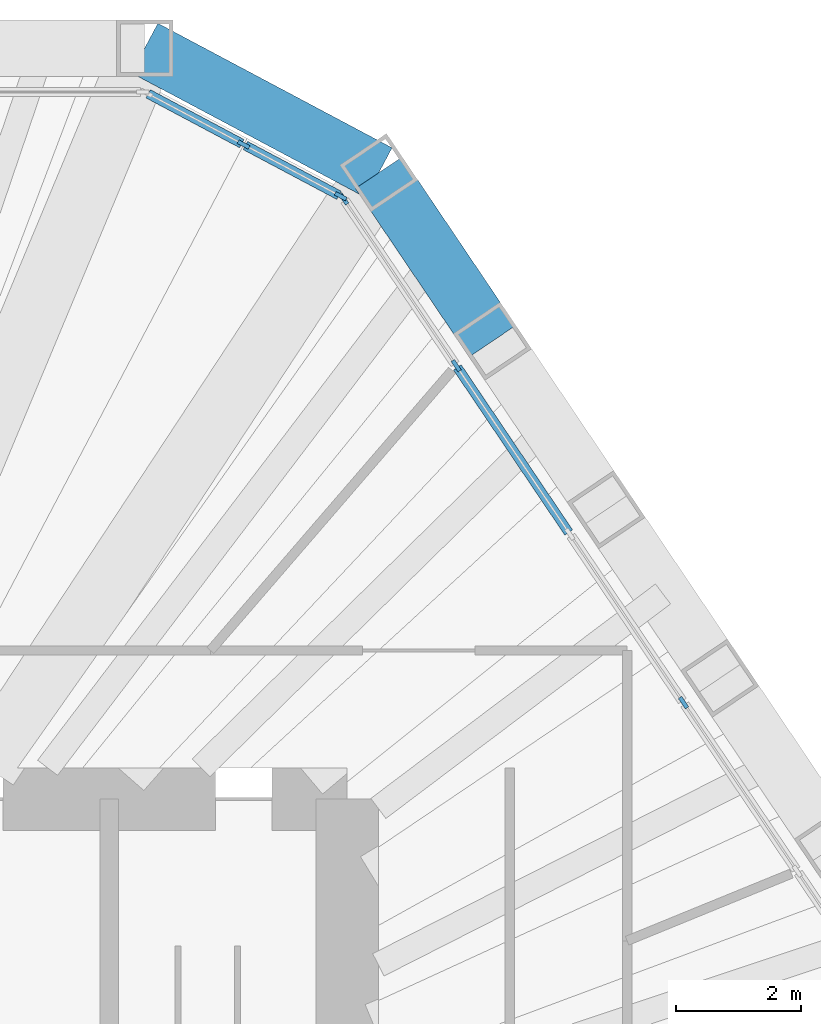
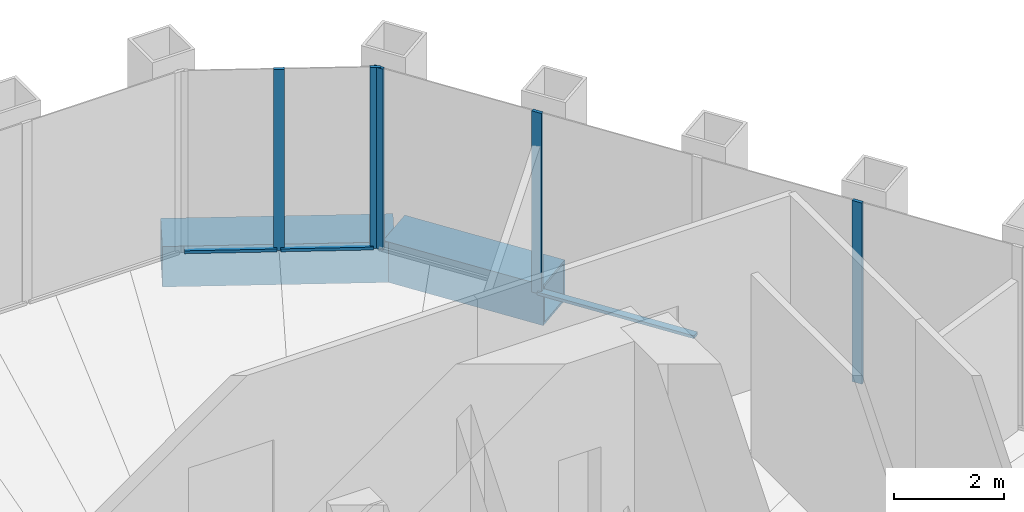
# One storey, part 8 of 14: 8 members, 2 beams, 2 elements without a shape of their own.
"""IFC4 building model written with IfcOpenShell, lengths in metres."""

from ifc_helpers import new_model, si_unit, direction, frame, origin, origin_2d, place, context, subcontext, project, spatial, rectangle, hollow_rectangle, extrude, material, material_profile, profile_set, type_object, element, aggregate, save


model = new_model("IFC4")

# Units and contexts
model_context = context("Model", 3, precision=1e-05, world=origin(), true_north=direction((0.0, 1.0)))
body_context = subcontext(model_context, "Body", "Model", "MODEL_VIEW")
ifc_project = project(units=[si_unit("LENGTHUNIT", "METRE"), si_unit("AREAUNIT", "SQUARE_METRE"), si_unit("VOLUMEUNIT", "CUBIC_METRE"), si_unit("PLANEANGLEUNIT", "RADIAN"), si_unit("MASSUNIT", "GRAM", prefix="KILO")], contexts=[model_context])

# Site, building, storey
site_placement = place(None, origin())
site = spatial("IfcSite", under=ifc_project, at=site_placement, CompositionType="ELEMENT")
building_placement = place(site_placement, origin())
building = spatial("IfcBuilding", under=site, at=building_placement, Name="Qingtian Harvest Tower", CompositionType="ELEMENT")
storey_placement = place(building_placement, frame((0.0, 0.0, 266.199951171875)))
storey = spatial("IfcBuildingStorey", under=building, at=storey_placement, Name="L58", CompositionType="ELEMENT", Elevation=266.199951171875)

# Curtain wall, members
ifc_material_1 = material(Name="Bronze-anodised aluminium curtain wall", Category="aluminium")
curtain_wall_type = type_object("IfcCurtainWallType", Name="Curtain wall CW5 upper office", PredefinedType="USERDEFINED", material=ifc_material_1)
curtain_wall_1_placement = place(storey_placement, origin())
curtain_wall_1 = element("IfcCurtainWall", 1, at=curtain_wall_1_placement, inside=storey, type_object=curtain_wall_type, Name="Curtain wall CW5 L58 NC", ObjectType="RECESSED CURTAIN WALL", PredefinedType="USERDEFINED")
ifc_material_2 = material(Name="Bronze-anodised aluminium mullion", Category="aluminium")
ifc_material_profile_1 = material_profile(ifc_material_2, rectangle(XDim=0.06494140625, YDim=0.199951171875, at=origin_2d()), Name="AL 65x200")
ifc_profile_set_1 = profile_set([ifc_material_profile_1], Name="Bronze-anodised aluminium mullion")
member_type_1 = type_object("IfcMemberType", Name="Mullion CWM 65x200", PredefinedType="MULLION", material=ifc_profile_set_1)
member_1_placement = place(storey_placement, frame((10.3466796875, 19.45947265625, 0.0), z_axis=(0.0, 0.0, 1.0), x_axis=(0.469471562786, 0.882947592859, 0.0)))
member_1 = element("IfcMember", 2, at=member_1_placement, type_object=member_type_1, Name="CW5 mullion 2", PredefinedType="MULLION", context=body_context, shape_type="SweptSolid", body=[
    extrude(rectangle(XDim=0.06494140625, YDim=0.199951171875, at=origin_2d()), origin(), (0.0, 0.0, 1.0), 4.030029296875),
])
member_2_placement = place(storey_placement, frame((11.89892578125, 18.634033203125, 0.0), z_axis=(0.0, 0.0, 1.0), x_axis=(0.469471562786, 0.882947592859, 0.0)))
member_2 = element("IfcMember", 3, at=member_2_placement, type_object=member_type_1, Name="CW5 mullion 3", PredefinedType="MULLION", context=body_context, shape_type="SweptSolid", body=[
    extrude(rectangle(XDim=0.06494140625, YDim=0.199951171875, at=origin_2d()), origin(), (0.0, 0.0, 1.0), 4.030029296875),
])

curtain_wall_2_placement = place(storey_placement, origin())
curtain_wall_2 = element("IfcCurtainWall", 4, at=curtain_wall_2_placement, inside=storey, type_object=curtain_wall_type, Name="Curtain wall CW5 L58 NE0-5", ObjectType="RECESSED CURTAIN WALL", PredefinedType="USERDEFINED")
member_3_placement = place(storey_placement, frame((11.94580078125, 18.592041015625, 0.0), z_axis=(0.0, 0.0, 1.0), x_axis=(0.829037572555, 0.559192903471, 0.0)))
member_3 = element("IfcMember", 5, at=member_3_placement, type_object=member_type_1, Name="CW5 mullion 1", PredefinedType="MULLION", context=body_context, shape_type="SweptSolid", body=[
    extrude(rectangle(XDim=0.06494140625, YDim=0.199951171875, at=origin_2d()), origin(), (0.0, 0.0, 1.0), 4.030029296875),
])
member_4_placement = place(storey_placement, frame((13.743896484375, 15.926025390625, 0.0), z_axis=(0.0, 0.0, 1.0), x_axis=(0.829037572555, 0.559192903471, 0.0)))
member_4 = element("IfcMember", 6, at=member_4_placement, type_object=member_type_1, Name="CW5 mullion 2", PredefinedType="MULLION", context=body_context, shape_type="SweptSolid", body=[
    extrude(rectangle(XDim=0.06494140625, YDim=0.199951171875, at=origin_2d()), origin(), (0.0, 0.0, 1.0), 4.030029296875),
])
member_5_placement = place(storey_placement, frame((17.37646484375, 10.540771484375, 0.0), z_axis=(0.0, 0.0, 1.0), x_axis=(0.829037572555, 0.559192903471, 0.0)))
member_5 = element("IfcMember", 7, at=member_5_placement, type_object=member_type_1, Name="CW5 mullion 4", PredefinedType="MULLION", context=body_context, shape_type="SweptSolid", body=[
    extrude(rectangle(XDim=0.06494140625, YDim=0.199951171875, at=origin_2d()), origin(), (0.0, 0.0, 1.0), 4.030029296875),
])

# Beams
ifc_material_3 = material(Name="Steel SM570MC", Category="steel")
ifc_material_profile_2 = material_profile(ifc_material_3, hollow_rectangle(XDim=0.89990234375, YDim=0.89990234375, WallThickness=0.050048828125, at=origin_2d()), Name="BOX900x900x50")
ifc_profile_set_2 = profile_set([ifc_material_profile_2], Name="Steel SM570MC")
beam_type = type_object("IfcBeamType", Name="Transition spandrel SB6 BOX900x900x50", PredefinedType="SPANDREL", material=ifc_profile_set_2)
beam_1_placement = place(storey_placement, frame((8.765869140625, 21.0, -0.449951171875), z_axis=(0.882948599748, -0.469469669099, 0.0), x_axis=(0.469469669099, 0.882948599748, 0.0)))
element("IfcBeam", 8, at=beam_1_placement, inside=storey, type_object=beam_type, Name="Spandrel SB6 NC", PredefinedType="SPANDREL", context=body_context, shape_type="SweptSolid", body=[
    extrude(hollow_rectangle(XDim=0.89990234375, YDim=0.89990234375, WallThickness=0.050048828125, at=origin_2d()), origin(), (0.0, 0.0, 1.0), 4.23828125),
])
beam_2_placement = place(storey_placement, frame((12.508056640625, 19.01025390625, -0.449951171875), z_axis=(0.559184924833, -0.829042954158, 0.0), x_axis=(0.829042954158, 0.559184924833, 0.0)))
element("IfcBeam", 9, at=beam_2_placement, inside=storey, type_object=beam_type, Name="Spandrel SB6 NE0", PredefinedType="SPANDREL", context=body_context, shape_type="SweptSolid", body=[
    extrude(hollow_rectangle(XDim=0.89990234375, YDim=0.89990234375, WallThickness=0.050048828125, at=origin_2d()), origin(), (0.0, 0.0, 1.0), 3.247802734375),
])

# Member
ifc_material_4 = material(Name="Bronze-anodised aluminium transom", Category="aluminium")
ifc_material_profile_3 = material_profile(ifc_material_4, rectangle(XDim=0.14990234375, YDim=0.06494140625, at=origin_2d()), Name="AL 65x150")
ifc_profile_set_3 = profile_set([ifc_material_profile_3], Name="Bronze-anodised aluminium transom")
member_type_2 = type_object("IfcMemberType", Name="Transom CWT 65x150", PredefinedType="USERDEFINED", material=ifc_profile_set_3)
member_6_placement = place(storey_placement, frame((8.8232421875, 20.26953125, 0.032470703125), z_axis=(0.882927080927, -0.469510138086, 0.0), x_axis=(0.469510138086, 0.882927080927, 0.0)))
member_6 = element("IfcMember", 10, at=member_6_placement, type_object=member_type_2, Name="CW5 transom 1.1", ObjectType="TRANSOM", PredefinedType="USERDEFINED", context=body_context, shape_type="SweptSolid", body=[
    extrude(rectangle(XDim=0.14990234375, YDim=0.06494140625, at=origin_2d()), origin(), (0.0, 0.0, 1.0), 1.693115234375),
])

member_7_placement = place(storey_placement, frame((10.37548828125, 19.444091796875, 0.032470703125), z_axis=(0.882986854304, -0.469397715297, 0.0), x_axis=(0.469397715297, 0.882986854304, 0.0)))
member_7 = element("IfcMember", 11, at=member_7_placement, type_object=member_type_2, Name="CW5 transom 2.1", ObjectType="TRANSOM", PredefinedType="USERDEFINED", context=body_context, shape_type="SweptSolid", body=[
    extrude(rectangle(XDim=0.14990234375, YDim=0.06494140625, at=origin_2d()), origin(), (0.0, 0.0, 1.0), 1.69287109375),
])

aggregate(curtain_wall_1, [member_1, member_2, member_6, member_7])

member_8_placement = place(storey_placement, frame((13.761962890625, 15.899169921875, 0.032470703125), z_axis=(0.55920542009, -0.829029129852, 0.0), x_axis=(0.829029129852, 0.55920542009, 0.0)))
member_8 = element("IfcMember", 12, at=member_8_placement, type_object=member_type_2, Name="CW5 transom 2.1", ObjectType="TRANSOM", PredefinedType="USERDEFINED", context=body_context, shape_type="SweptSolid", body=[
    extrude(rectangle(XDim=0.14990234375, YDim=0.06494140625, at=origin_2d()), origin(), (0.0, 0.0, 1.0), 3.18310546875),
])

aggregate(curtain_wall_2, [member_3, member_4, member_5, member_8])

save(model, "model.ifc")
